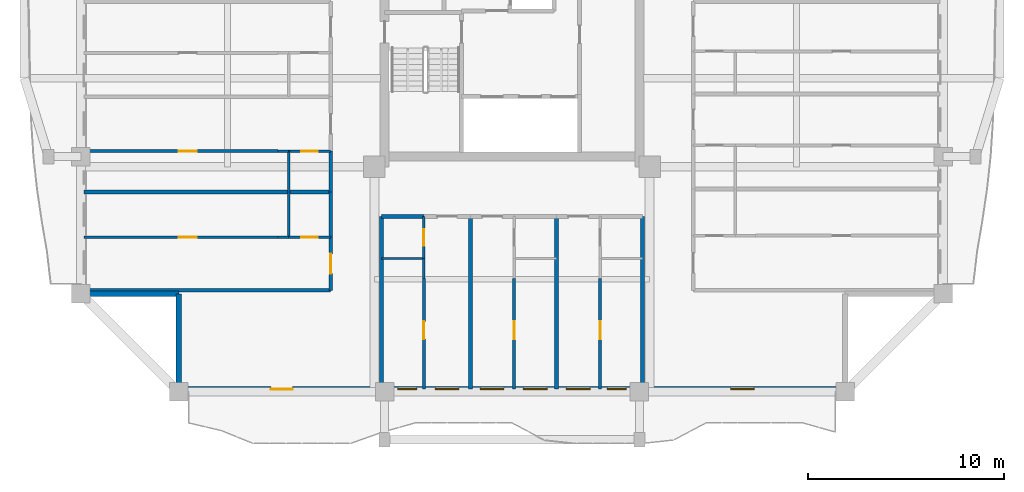
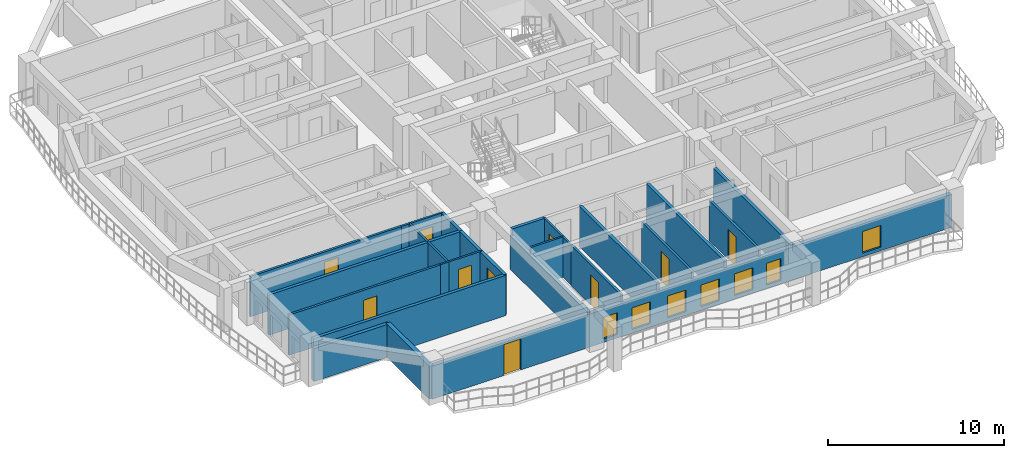
# One storey, part 2 of 15: 27 walls, 10 doors, 7 windows, 17 openings.
"""IFC4 building model written with IfcOpenShell, lengths in metres."""

from ifc_helpers import new_model, si_unit, direction, frame, frame_2d, origin, place, context, subcontext, project, spatial, rectangle, extrude, source, transform, mapped, material, layer, layer_set, type_object, element, fill, save


model = new_model("IFC4")

# Units and contexts
model_context = context("Model", 3, precision=1e-05, world=origin(), true_north=direction((0.0, 1.0)))
body_context = subcontext(model_context, "Body", "Model", "MODEL_VIEW")
ifc_project = project(units=[si_unit("LENGTHUNIT", "METRE"), si_unit("AREAUNIT", "SQUARE_METRE"), si_unit("VOLUMEUNIT", "CUBIC_METRE"), si_unit("PLANEANGLEUNIT", "RADIAN"), si_unit("MASSUNIT", "GRAM", prefix="KILO")], contexts=[model_context])

# Site, building, storey
site_placement = place(None, origin())
site = spatial("IfcSite", under=ifc_project, at=site_placement, CompositionType="ELEMENT")
building_placement = place(site_placement, origin())
building = spatial("IfcBuilding", under=site, at=building_placement, Name="Saelheon Loggia Tower", CompositionType="ELEMENT")
storey_placement = place(building_placement, frame((0.0, 0.0, 163.0)))
storey = spatial("IfcBuildingStorey", under=building, at=storey_placement, Name="L51", CompositionType="ELEMENT", Elevation=163.0)

# Wall, openings, windows, door
ifc_material_1 = material(Name="Architectural Precast Concrete C40/50", Category="concrete")
ifc_layer_1 = layer(ifc_material_1, 0.280029296875)
ifc_layer_set_1 = layer_set([ifc_layer_1], Name="Architectural Precast Concrete C40/50")
wall_type_1 = type_object("IfcWallType", Name="Wall_Ext_Loggia_280", PredefinedType="SOLIDWALL", material=ifc_layer_set_1)
wall_1_placement = place(storey_placement, frame((21.0, 6.139892578125, 0.0), z_axis=(0.0, 0.0, 1.0), x_axis=(1.0, 0.0, 0.0)))
wall_1 = element("IfcWall", 1, at=wall_1_placement, inside=storey, type_object=wall_type_1, Name="L51 South Loggia Inner Wall", PredefinedType="SOLIDWALL", context=body_context, shape_type="SweptSolid", body=[
    extrude(rectangle(XDim=34.0, YDim=0.280029296875, at=frame_2d((17.0, 0.0))), origin(), (0.0, 0.0, 1.0), 2.280029296875),
])
opening_1_placement = place(wall_1_placement, frame((5.800048828125, 0.0, 0.0), z_axis=(0.0, 0.0, 1.0), x_axis=(-1.0, 0.0, 0.0)))
opening_1 = element("IfcOpeningElement", 2, at=opening_1_placement, cuts=wall_1, Name="Opening TD1", PredefinedType="OPENING", context=body_context, shape_type="SweptSolid", body=[
    extrude(rectangle(XDim=1.10009765625, YDim=2.14990234375, at=frame_2d((0.550048828125, 1.074951171875))), frame((0.0, 0.152099609375, 0.0), z_axis=(0.0, -1.0, 0.0), x_axis=(1.0, 0.0, 0.0)), (0.0, 0.0, 1.0), 0.303955078125),
])
opening_2_placement = place(wall_1_placement, frame((11.1826171875, 0.0, 0.25)))
opening_2 = element("IfcOpeningElement", 3, at=opening_2_placement, cuts=wall_1, Name="Opening WN-04", PredefinedType="OPENING", context=body_context, shape_type="SweptSolid", body=[
    extrude(rectangle(XDim=0.949951171875, YDim=1.5, at=frame_2d((0.47509765625, 0.75))), frame((0.0, 0.152099609375, 0.0), z_axis=(0.0, -1.0, 0.0), x_axis=(1.0, 0.0, 0.0)), (0.0, 0.0, 1.0), 0.303955078125),
])
opening_3_placement = place(wall_1_placement, frame((13.0859375, 0.0, 0.25)))
opening_3 = element("IfcOpeningElement", 4, at=opening_3_placement, cuts=wall_1, Name="Opening WN-03", PredefinedType="OPENING", context=body_context, shape_type="SweptSolid", body=[
    extrude(rectangle(XDim=1.199951171875, YDim=1.5, at=frame_2d((0.60009765625, 0.75))), frame((0.0, 0.152099609375, 0.0), z_axis=(0.0, -1.0, 0.0), x_axis=(1.0, 0.0, 0.0)), (0.0, 0.0, 1.0), 0.303955078125),
])
opening_4_placement = place(wall_1_placement, frame((15.3916015625, 0.0, 0.25)))
opening_4 = element("IfcOpeningElement", 5, at=opening_4_placement, cuts=wall_1, Name="Opening WN-03", PredefinedType="OPENING", context=body_context, shape_type="SweptSolid", body=[
    extrude(rectangle(XDim=1.199951171875, YDim=1.5, at=frame_2d((0.60009765625, 0.75))), frame((0.0, 0.152099609375, 0.0), z_axis=(0.0, -1.0, 0.0), x_axis=(1.0, 0.0, 0.0)), (0.0, 0.0, 1.0), 0.303955078125),
])
opening_5_placement = place(wall_1_placement, frame((17.5859375, 0.0, 0.25)))
opening_5 = element("IfcOpeningElement", 6, at=opening_5_placement, cuts=wall_1, Name="Opening WN-03", PredefinedType="OPENING", context=body_context, shape_type="SweptSolid", body=[
    extrude(rectangle(XDim=1.199951171875, YDim=1.5, at=frame_2d((0.60009765625, 0.75))), frame((0.0, 0.152099609375, 0.0), z_axis=(0.0, -1.0, 0.0), x_axis=(1.0, 0.0, 0.0)), (0.0, 0.0, 1.0), 0.303955078125),
])
opening_6_placement = place(wall_1_placement, frame((19.780517578125, 0.0, 0.25)))
opening_6 = element("IfcOpeningElement", 7, at=opening_6_placement, cuts=wall_1, Name="Opening WN-03", PredefinedType="OPENING", context=body_context, shape_type="SweptSolid", body=[
    extrude(rectangle(XDim=1.199951171875, YDim=1.5, at=frame_2d((0.60009765625, 0.75))), frame((0.0, 0.152099609375, 0.0), z_axis=(0.0, -1.0, 0.0), x_axis=(1.0, 0.0, 0.0)), (0.0, 0.0, 1.0), 0.303955078125),
])
opening_7_placement = place(wall_1_placement, frame((21.867431640625, 0.0, 0.25)))
opening_7 = element("IfcOpeningElement", 8, at=opening_7_placement, cuts=wall_1, Name="Opening WN-04", PredefinedType="OPENING", context=body_context, shape_type="SweptSolid", body=[
    extrude(rectangle(XDim=0.949951171875, YDim=1.5, at=frame_2d((0.47509765625, 0.75))), frame((0.0, 0.152099609375, 0.0), z_axis=(0.0, -1.0, 0.0), x_axis=(1.0, 0.0, 0.0)), (0.0, 0.0, 1.0), 0.303955078125),
])
opening_8_placement = place(wall_1_placement, frame((28.14990234375, 0.0, 0.25)))
opening_8 = element("IfcOpeningElement", 9, at=opening_8_placement, cuts=wall_1, Name="Opening WN-03", PredefinedType="OPENING", context=body_context, shape_type="SweptSolid", body=[
    extrude(rectangle(XDim=1.199951171875, YDim=1.5, at=frame_2d((0.60009765625, 0.75))), frame((0.0, 0.152099609375, 0.0), z_axis=(0.0, -1.0, 0.0), x_axis=(1.0, 0.0, 0.0)), (0.0, 0.0, 1.0), 0.303955078125),
])
ifc_material_2 = material(Name="Thermal-Break Aluminium and Triple Low-E Glass", Category="aluminium")
window_type_1 = type_object("IfcWindowType", Name="Win_Bedroom_1200x1500", PartitioningType="SINGLE_PANEL", PredefinedType="WINDOW", material=ifc_material_2)
shared_shape_1 = source(origin(), body_context, "Body", "SweptSolid", [
    extrude(rectangle(XDim=1.199951171875, YDim=1.5, at=frame_2d((0.60009765625, 0.75))), frame((0.0, 0.030029296875, 0.0), z_axis=(0.0, -1.0, 0.0), x_axis=(1.0, 0.0, 0.0)), (0.0, 0.0, 1.0), 0.06005859375),
])
window_1_placement = place(opening_3_placement, origin())
window_1 = element("IfcWindow", 10, at=window_1_placement, inside=storey, type_object=window_type_1, Name="L51 S Dwelling Window 3", OverallHeight=1.5, OverallWidth=1.199951171875, PartitioningType="SINGLE_PANEL", PredefinedType="WINDOW", context=body_context, shape_type="MappedRepresentation", body=[
    mapped(shared_shape_1, transform((0.0, 0.0, 0.0), scale=1.0)),
])
fill(opening_3, window_1)
window_2_placement = place(opening_4_placement, origin())
window_2 = element("IfcWindow", 11, at=window_2_placement, inside=storey, type_object=window_type_1, Name="L51 S Dwelling Window 4", OverallHeight=1.5, OverallWidth=1.199951171875, PartitioningType="SINGLE_PANEL", PredefinedType="WINDOW", context=body_context, shape_type="MappedRepresentation", body=[
    mapped(shared_shape_1, transform((0.0, 0.0, 0.0), scale=1.0)),
])
fill(opening_4, window_2)
window_3_placement = place(opening_5_placement, origin())
window_3 = element("IfcWindow", 12, at=window_3_placement, inside=storey, type_object=window_type_1, Name="L51 S Dwelling Window 5", OverallHeight=1.5, OverallWidth=1.199951171875, PartitioningType="SINGLE_PANEL", PredefinedType="WINDOW", context=body_context, shape_type="MappedRepresentation", body=[
    mapped(shared_shape_1, transform((0.0, 0.0, 0.0), scale=1.0)),
])
fill(opening_5, window_3)
window_4_placement = place(opening_6_placement, origin())
window_4 = element("IfcWindow", 13, at=window_4_placement, inside=storey, type_object=window_type_1, Name="L51 S Dwelling Window 6", OverallHeight=1.5, OverallWidth=1.199951171875, PartitioningType="SINGLE_PANEL", PredefinedType="WINDOW", context=body_context, shape_type="MappedRepresentation", body=[
    mapped(shared_shape_1, transform((0.0, 0.0, 0.0), scale=1.0)),
])
fill(opening_6, window_4)
window_5_placement = place(opening_8_placement, origin())
window_5 = element("IfcWindow", 14, at=window_5_placement, inside=storey, type_object=window_type_1, Name="L51 S Dwelling Window 8", OverallHeight=1.5, OverallWidth=1.199951171875, PartitioningType="SINGLE_PANEL", PredefinedType="WINDOW", context=body_context, shape_type="MappedRepresentation", body=[
    mapped(shared_shape_1, transform((0.0, 0.0, 0.0), scale=1.0)),
])
fill(opening_8, window_5)
ifc_material_3 = material(Name="Thermal-Break Aluminium Glazed Door", Category="aluminium")
door_type_1 = type_object("IfcDoorType", Name="Door_Terrace_TD1", OperationType="NOTDEFINED", PredefinedType="DOOR", material=ifc_material_3)
shared_shape_2 = source(origin(), body_context, "Body", "SweptSolid", [
    extrude(rectangle(XDim=1.10009765625, YDim=2.14990234375, at=frame_2d((0.550048828125, 1.074951171875))), frame((0.0, 0.02490234375, 0.0), z_axis=(0.0, -1.0, 0.0), x_axis=(1.0, 0.0, 0.0)), (0.0, 0.0, 1.0), 0.050048828125),
])
door_1_placement = place(opening_1_placement, origin())
door_1 = element("IfcDoor", 15, at=door_1_placement, inside=storey, type_object=door_type_1, Name="L51 S Loggia Access Door", OperationType="SINGLE_SWING_LEFT", OverallHeight=2.14990234375, OverallWidth=1.10009765625, PredefinedType="DOOR", context=body_context, shape_type="MappedRepresentation", body=[
    mapped(shared_shape_2, transform((0.0, 0.0, 0.0), scale=1.0)),
])
fill(opening_1, door_1)
window_type_2 = type_object("IfcWindowType", Name="Win_Narrow_950x1500", PartitioningType="SINGLE_PANEL", PredefinedType="WINDOW", material=ifc_material_2)
shared_shape_3 = source(origin(), body_context, "Body", "SweptSolid", [
    extrude(rectangle(XDim=0.949951171875, YDim=1.5, at=frame_2d((0.47509765625, 0.75))), frame((0.0, 0.030029296875, 0.0), z_axis=(0.0, -1.0, 0.0), x_axis=(1.0, 0.0, 0.0)), (0.0, 0.0, 1.0), 0.06005859375),
])
window_6_placement = place(opening_2_placement, origin())
window_6 = element("IfcWindow", 16, at=window_6_placement, inside=storey, type_object=window_type_2, Name="L51 S Dwelling Window 2", OverallHeight=1.5, OverallWidth=0.949951171875, PartitioningType="SINGLE_PANEL", PredefinedType="WINDOW", context=body_context, shape_type="MappedRepresentation", body=[
    mapped(shared_shape_3, transform((0.0, 0.0, 0.0), scale=1.0)),
])
fill(opening_2, window_6)
window_7_placement = place(opening_7_placement, origin())
window_7 = element("IfcWindow", 17, at=window_7_placement, inside=storey, type_object=window_type_2, Name="L51 S Dwelling Window 7", OverallHeight=1.5, OverallWidth=0.949951171875, PartitioningType="SINGLE_PANEL", PredefinedType="WINDOW", context=body_context, shape_type="MappedRepresentation", body=[
    mapped(shared_shape_3, transform((0.0, 0.0, 0.0), scale=1.0)),
])
fill(opening_7, window_7)

# Walls
for number, where, z_axis, x_axis, name in (
    (18, (21.0, 6.080078125, 0.0), (0.0, 0.0, 1.0), (0.0, 1.0, 0.0), "L51 Corner Notch Precast Wall SW1"),
    (19, (16.080078125, 11.0, 0.0), (0.0, 0.0, 1.0), (1.0, 0.0, 0.0), "L51 Corner Notch Precast Wall SW2"),
):
    element("IfcWall", number, at=place(storey_placement, frame(where, z_axis=z_axis, x_axis=x_axis)), inside=storey, type_object=wall_type_1, Name=name, PredefinedType="SOLIDWALL", context=body_context, shape_type="SweptSolid", body=[
        extrude(rectangle(XDim=4.919921875, YDim=0.280029296875, at=frame_2d((2.4599609375, 0.0))), origin(), (0.0, 0.0, 1.0), 2.280029296875),
    ])

# Wall, opening, door
ifc_material_4 = material(Name="Lightweight Autoclaved Aerated Concrete Block and Acoustic Gypsum", Category="concrete")
ifc_layer_2 = layer(ifc_material_4, 0.14990234375)
ifc_layer_set_2 = layer_set([ifc_layer_2], Name="Lightweight Autoclaved Aerated Concrete Block and Acoustic Gypsum")
wall_type_2 = type_object("IfcWallType", Name="Wall_Part_150", PredefinedType="PARTITIONING", material=ifc_layer_set_2)
wall_2_placement = place(storey_placement, frame((33.5, 11.77001953125, 0.0), z_axis=(0.0, 0.0, 1.0), x_axis=(0.0, -1.0, 0.0)))
wall_2 = element("IfcWall", 20, at=wall_2_placement, inside=storey, type_object=wall_type_2, Name="L51 S Partition U08", PredefinedType="PARTITIONING", context=body_context, shape_type="SweptSolid", body=[
    extrude(rectangle(XDim=5.6201171875, YDim=0.14990234375, at=frame_2d((2.81005859375, 0.0))), origin(), (0.0, 0.0, 1.0), 2.7900390625),
])
opening_9_placement = place(wall_2_placement, frame((2.183349609375, 0.0, 0.0)))
opening_9 = element("IfcOpeningElement", 21, at=opening_9_placement, cuts=wall_2, Name="Opening D-IN2", PredefinedType="OPENING", context=body_context, shape_type="SweptSolid", body=[
    extrude(rectangle(XDim=0.89990234375, YDim=2.10009765625, at=frame_2d((0.449951171875, 1.050048828125))), frame((0.0, 0.0869140625, 0.0), z_axis=(0.0, -1.0, 0.0), x_axis=(1.0, 0.0, 0.0)), (0.0, 0.0, 1.0), 0.173828125),
])
ifc_material_5 = material(Name="Engineered Oak Flush Door", Category="timber")
door_type_2 = type_object("IfcDoorType", Name="Door_Int_900", OperationType="NOTDEFINED", PredefinedType="DOOR", material=ifc_material_5)
shared_shape_4 = source(origin(), body_context, "Body", "SweptSolid", [
    extrude(rectangle(XDim=0.89990234375, YDim=2.10009765625, at=frame_2d((0.449951171875, 1.050048828125))), frame((0.0, 0.02490234375, 0.0), z_axis=(0.0, -1.0, 0.0), x_axis=(1.0, 0.0, 0.0)), (0.0, 0.0, 1.0), 0.050048828125),
])
door_2_placement = place(opening_9_placement, origin())
door_2 = element("IfcDoor", 22, at=door_2_placement, inside=storey, type_object=door_type_2, Name="Unit U01 Kitchen Door", OperationType="SINGLE_SWING_RIGHT", OverallHeight=2.10009765625, OverallWidth=0.89990234375, PredefinedType="DOOR", context=body_context, shape_type="MappedRepresentation", body=[
    mapped(shared_shape_4, transform((0.0, 0.0, 0.0), scale=1.0)),
])
fill(opening_9, door_2)

wall_3_placement = place(storey_placement, frame((38.111083984375, 11.77001953125, 0.0), z_axis=(0.0, 0.0, 1.0), x_axis=(0.0, -1.0, 0.0)))
wall_3 = element("IfcWall", 23, at=wall_3_placement, inside=storey, type_object=wall_type_2, Name="L51 S Partition U15", PredefinedType="PARTITIONING", context=body_context, shape_type="SweptSolid", body=[
    extrude(rectangle(XDim=5.6201171875, YDim=0.14990234375, at=frame_2d((2.81005859375, 0.0))), origin(), (0.0, 0.0, 1.0), 2.7900390625),
])
opening_10_placement = place(wall_3_placement, frame((2.183349609375, 0.0, 0.0)))
opening_10 = element("IfcOpeningElement", 24, at=opening_10_placement, cuts=wall_3, Name="Opening D-IN2", PredefinedType="OPENING", context=body_context, shape_type="SweptSolid", body=[
    extrude(rectangle(XDim=0.89990234375, YDim=2.10009765625, at=frame_2d((0.449951171875, 1.050048828125))), frame((0.0, 0.0869140625, 0.0), z_axis=(0.0, -1.0, 0.0), x_axis=(1.0, 0.0, 0.0)), (0.0, 0.0, 1.0), 0.173828125),
])
door_3_placement = place(opening_10_placement, origin())
door_3 = element("IfcDoor", 25, at=door_3_placement, inside=storey, type_object=door_type_2, Name="Unit U02 Kitchen Door", OperationType="SINGLE_SWING_LEFT", OverallHeight=2.10009765625, OverallWidth=0.89990234375, PredefinedType="DOOR", context=body_context, shape_type="MappedRepresentation", body=[
    mapped(shared_shape_4, transform((0.0, 0.0, 0.0), scale=1.0)),
])
fill(opening_10, door_3)

wall_4_placement = place(storey_placement, frame((42.5, 11.77001953125, 0.0), z_axis=(0.0, 0.0, 1.0), x_axis=(0.0, -1.0, 0.0)))
wall_4 = element("IfcWall", 26, at=wall_4_placement, inside=storey, type_object=wall_type_2, Name="L51 S Partition U22", PredefinedType="PARTITIONING", context=body_context, shape_type="SweptSolid", body=[
    extrude(rectangle(XDim=5.6201171875, YDim=0.14990234375, at=frame_2d((2.81005859375, 0.0))), origin(), (0.0, 0.0, 1.0), 2.7900390625),
])
opening_11_placement = place(wall_4_placement, frame((2.183349609375, 0.0, 0.0)))
opening_11 = element("IfcOpeningElement", 27, at=opening_11_placement, cuts=wall_4, Name="Opening D-IN2", PredefinedType="OPENING", context=body_context, shape_type="SweptSolid", body=[
    extrude(rectangle(XDim=0.89990234375, YDim=2.10009765625, at=frame_2d((0.449951171875, 1.050048828125))), frame((0.0, 0.0869140625, 0.0), z_axis=(0.0, -1.0, 0.0), x_axis=(1.0, 0.0, 0.0)), (0.0, 0.0, 1.0), 0.173828125),
])
door_4_placement = place(opening_11_placement, origin())
door_4 = element("IfcDoor", 28, at=door_4_placement, inside=storey, type_object=door_type_2, Name="Unit U03 Kitchen Door", OperationType="SINGLE_SWING_RIGHT", OverallHeight=2.10009765625, OverallWidth=0.89990234375, PredefinedType="DOOR", context=body_context, shape_type="MappedRepresentation", body=[
    mapped(shared_shape_4, transform((0.0, 0.0, 0.0), scale=1.0)),
])
fill(opening_11, door_4)

wall_5_placement = place(storey_placement, frame((26.050048828125, 13.88623046875, 0.0), z_axis=(0.0, 0.0, 1.0), x_axis=(-1.0, 0.0, 0.0)))
wall_5 = element("IfcWall", 29, at=wall_5_placement, inside=storey, type_object=wall_type_2, Name="L51 WS Partition U08", PredefinedType="PARTITIONING", context=body_context, shape_type="SweptSolid", body=[
    extrude(rectangle(XDim=9.900146484375, YDim=0.14990234375, at=frame_2d((4.9501953125, 0.0))), origin(), (0.0, 0.0, 1.0), 2.7900390625),
])
opening_12_placement = place(wall_5_placement, frame((4.14501953125, 0.0, 0.0)))
opening_12 = element("IfcOpeningElement", 30, at=opening_12_placement, cuts=wall_5, Name="Opening D-IN2", PredefinedType="OPENING", context=body_context, shape_type="SweptSolid", body=[
    extrude(rectangle(XDim=0.89990234375, YDim=2.10009765625, at=frame_2d((0.449951171875, 1.050048828125))), frame((0.0, 0.0869140625, 0.0), z_axis=(0.0, -1.0, 0.0), x_axis=(1.0, 0.0, 0.0)), (0.0, 0.0, 1.0), 0.173828125),
])
door_5_placement = place(opening_12_placement, origin())
door_5 = element("IfcDoor", 31, at=door_5_placement, inside=storey, type_object=door_type_2, Name="Unit U07 Kitchen Door", OperationType="SINGLE_SWING_LEFT", OverallHeight=2.10009765625, OverallWidth=0.89990234375, PredefinedType="DOOR", context=body_context, shape_type="MappedRepresentation", body=[
    mapped(shared_shape_4, transform((0.0, 0.0, 0.0), scale=1.0)),
])
fill(opening_12, door_5)

wall_6_placement = place(storey_placement, frame((26.050048828125, 18.280029296875, 0.0), z_axis=(0.0, 0.0, 1.0), x_axis=(-1.0, 0.0, 0.0)))
wall_6 = element("IfcWall", 32, at=wall_6_placement, inside=storey, type_object=wall_type_2, Name="L51 WS Partition U15", PredefinedType="PARTITIONING", context=body_context, shape_type="SweptSolid", body=[
    extrude(rectangle(XDim=9.900146484375, YDim=0.14990234375, at=frame_2d((4.9501953125, 0.0))), origin(), (0.0, 0.0, 1.0), 2.7900390625),
])
opening_13_placement = place(wall_6_placement, frame((4.14501953125, 0.0, 0.0)))
opening_13 = element("IfcOpeningElement", 33, at=opening_13_placement, cuts=wall_6, Name="Opening D-IN2", PredefinedType="OPENING", context=body_context, shape_type="SweptSolid", body=[
    extrude(rectangle(XDim=0.89990234375, YDim=2.10009765625, at=frame_2d((0.449951171875, 1.050048828125))), frame((0.0, 0.0869140625, 0.0), z_axis=(0.0, -1.0, 0.0), x_axis=(1.0, 0.0, 0.0)), (0.0, 0.0, 1.0), 0.173828125),
])
door_6_placement = place(opening_13_placement, origin())
door_6 = element("IfcDoor", 34, at=door_6_placement, inside=storey, type_object=door_type_2, Name="Unit U08 Kitchen Door", OperationType="SINGLE_SWING_RIGHT", OverallHeight=2.10009765625, OverallWidth=0.89990234375, PredefinedType="DOOR", context=body_context, shape_type="MappedRepresentation", body=[
    mapped(shared_shape_4, transform((0.0, 0.0, 0.0), scale=1.0)),
])
fill(opening_13, door_6)

# Walls
ifc_material_6 = material(Name="Double Acoustic Stud and Fireboard Partition", Category="gypsum")
ifc_layer_3 = layer(ifc_material_6, 0.199951171875)
ifc_layer_set_3 = layer_set([ifc_layer_3], Name="Double Acoustic Stud and Fireboard Partition")
wall_type_3 = type_object("IfcWallType", Name="Wall_Party_200", PredefinedType="PARTITIONING", material=ifc_layer_set_3)
for number, where, z_axis, x_axis, name in (
    (35, (31.35009765625, 14.949951171875, 0.0), (0.0, 0.0, 1.0), (0.0, -1.0, 0.0), "L51 S Partition U01"),
    (36, (44.64990234375, 14.949951171875, 0.0), (0.0, 0.0, 1.0), (0.0, -1.0, 0.0), "L51 S Partition U02"),
):
    element("IfcWall", number, at=place(storey_placement, frame(where, z_axis=z_axis, x_axis=x_axis)), inside=storey, type_object=wall_type_3, Name=name, PredefinedType="PARTITIONING", context=body_context, shape_type="SweptSolid", body=[
        extrude(rectangle(XDim=8.800048828125, YDim=0.199951171875, at=frame_2d((4.39990234375, 0.0))), origin(), (0.0, 0.0, 1.0), 2.340087890625),
    ])
wall_7_placement = place(storey_placement, frame((31.35009765625, 14.949951171875, 0.0), z_axis=(0.0, 0.0, 1.0), x_axis=(1.0, 0.0, 0.0)))
element("IfcWall", 37, at=wall_7_placement, inside=storey, type_object=wall_type_3, Name="L51 S Partition V03", PredefinedType="PARTITIONING", context=body_context, shape_type="SweptSolid", body=[
    extrude(rectangle(XDim=2.14990234375, YDim=0.199951171875, at=frame_2d((1.074951171875, 0.0))), origin(), (0.0, 0.0, 1.0), 2.7900390625),
])
for number, where, z_axis, x_axis, name in (
    (38, (35.8720703125, 14.949951171875, 0.0), (0.0, 0.0, 1.0), (0.0, -1.0, 0.0), "L51 S Partition U09"),
    (39, (40.260986328125, 14.949951171875, 0.0), (0.0, 0.0, 1.0), (0.0, -1.0, 0.0), "L51 S Partition U16"),
):
    element("IfcWall", number, at=place(storey_placement, frame(where, z_axis=z_axis, x_axis=x_axis)), inside=storey, type_object=wall_type_3, Name=name, PredefinedType="PARTITIONING", context=body_context, shape_type="SweptSolid", body=[
        extrude(rectangle(XDim=8.800048828125, YDim=0.199951171875, at=frame_2d((4.39990234375, 0.0))), origin(), (0.0, 0.0, 1.0), 2.7900390625),
    ])
wall_8_placement = place(storey_placement, frame((28.75, 11.179931640625, 0.0), z_axis=(0.0, 0.0, 1.0), x_axis=(-1.0, 0.0, 0.0)))
element("IfcWall", 40, at=wall_8_placement, inside=storey, type_object=wall_type_3, Name="L51 WS Partition U01", PredefinedType="PARTITIONING", context=body_context, shape_type="SweptSolid", body=[
    extrude(rectangle(XDim=12.60009765625, YDim=0.199951171875, at=frame_2d((6.300048828125, 0.0))), origin(), (0.0, 0.0, 1.0), 2.7900390625),
])

# Wall, opening, door
wall_9_placement = place(storey_placement, frame((28.75, 11.179931640625, 0.0), z_axis=(0.0, 0.0, 1.0), x_axis=(0.0, 1.0, 0.0)))
wall_9 = element("IfcWall", 41, at=wall_9_placement, inside=storey, type_object=wall_type_3, Name="L51 WS Partition V03", PredefinedType="PARTITIONING", context=body_context, shape_type="SweptSolid", body=[
    extrude(rectangle(XDim=2.706298828125, YDim=0.199951171875, at=frame_2d((1.35302734375, 0.0))), origin(), (0.0, 0.0, 1.0), 2.7900390625),
])
opening_14_placement = place(wall_9_placement, frame((0.853271484375, 0.0, 0.0)))
opening_14 = element("IfcOpeningElement", 42, at=opening_14_placement, cuts=wall_9, Name="Opening D-FD1", PredefinedType="OPENING", context=body_context, shape_type="SweptSolid", body=[
    extrude(rectangle(XDim=1.0, YDim=2.14990234375, at=frame_2d((0.5, 1.074951171875))), frame((0.0, 0.112060546875, 0.0), z_axis=(0.0, -1.0, 0.0), x_axis=(1.0, 0.0, 0.0)), (0.0, 0.0, 1.0), 0.223876953125),
])
ifc_material_7 = material(Name="Fire-Rated Engineered Timber Entrance Door", Category="wood")
door_type_3 = type_object("IfcDoorType", Name="Door_Flat_FD30S", OperationType="NOTDEFINED", PredefinedType="DOOR", material=ifc_material_7)
shared_shape_5 = source(origin(), body_context, "Body", "SweptSolid", [
    extrude(rectangle(XDim=1.0, YDim=2.14990234375, at=frame_2d((0.5, 1.074951171875))), frame((0.0, 0.02490234375, 0.0), z_axis=(0.0, -1.0, 0.0), x_axis=(1.0, 0.0, 0.0)), (0.0, 0.0, 1.0), 0.050048828125),
])
door_7_placement = place(opening_14_placement, origin())
door_7 = element("IfcDoor", 43, at=door_7_placement, inside=storey, type_object=door_type_3, Name="Unit U07 Entrance Door", OperationType="SINGLE_SWING_LEFT", OverallHeight=2.14990234375, OverallWidth=1.0, PredefinedType="DOOR", context=body_context, shape_type="MappedRepresentation", body=[
    mapped(shared_shape_5, transform((0.0, 0.0, 0.0), scale=1.0)),
])
fill(opening_14, door_7)

# Walls
wall_10_placement = place(storey_placement, frame((28.75, 13.88623046875, 0.0), z_axis=(0.0, 0.0, 1.0), x_axis=(0.0, 1.0, 0.0)))
element("IfcWall", 44, at=wall_10_placement, inside=storey, type_object=wall_type_3, Name="L51 WS Partition V04", PredefinedType="PARTITIONING", context=body_context, shape_type="SweptSolid", body=[
    extrude(rectangle(XDim=2.305419921875, YDim=0.199951171875, at=frame_2d((1.15283203125, 0.0))), origin(), (0.0, 0.0, 1.0), 2.7900390625),
])
wall_11_placement = place(storey_placement, frame((28.75, 16.191650390625, 0.0), z_axis=(0.0, 0.0, 1.0), x_axis=(-1.0, 0.0, 0.0)))
element("IfcWall", 45, at=wall_11_placement, inside=storey, type_object=wall_type_3, Name="L51 WS Partition U09", PredefinedType="PARTITIONING", context=body_context, shape_type="SweptSolid", body=[
    extrude(rectangle(XDim=12.60009765625, YDim=0.199951171875, at=frame_2d((6.300048828125, 0.0))), origin(), (0.0, 0.0, 1.0), 2.7900390625),
])
wall_12_placement = place(storey_placement, frame((28.75, 16.191650390625, 0.0), z_axis=(0.0, 0.0, 1.0), x_axis=(0.0, 1.0, 0.0)))
element("IfcWall", 46, at=wall_12_placement, inside=storey, type_object=wall_type_3, Name="L51 WS Partition V10", PredefinedType="PARTITIONING", context=body_context, shape_type="SweptSolid", body=[
    extrude(rectangle(XDim=2.08837890625, YDim=0.199951171875, at=frame_2d((1.044189453125, 0.0))), origin(), (0.0, 0.0, 1.0), 2.7900390625),
])

# Wall, opening, door
ifc_material_8 = material(Name="Moisture-Resistant Cement Board Partition", Category="gypsum")
ifc_layer_4 = layer(ifc_material_8, 0.1201171875)
ifc_layer_set_4 = layer_set([ifc_layer_4], Name="Moisture-Resistant Cement Board Partition")
wall_type_4 = type_object("IfcWallType", Name="Wall_WetPart_120", PredefinedType="PARTITIONING", material=ifc_layer_set_4)
wall_13_placement = place(storey_placement, frame((33.5, 14.949951171875, 0.0), z_axis=(0.0, 0.0, 1.0), x_axis=(0.0, -1.0, 0.0)))
wall_13 = element("IfcWall", 47, at=wall_13_placement, inside=storey, type_object=wall_type_4, Name="L51 S Partition U05", PredefinedType="PARTITIONING", context=body_context, shape_type="SweptSolid", body=[
    extrude(rectangle(XDim=2.14990234375, YDim=0.1201171875, at=frame_2d((1.074951171875, 0.0))), origin(), (0.0, 0.0, 1.0), 2.7900390625),
])
opening_15_placement = place(wall_13_placement, frame((0.64990234375, 0.0, 0.0)))
opening_15 = element("IfcOpeningElement", 48, at=opening_15_placement, cuts=wall_13, Name="Opening D-BT1", PredefinedType="OPENING", context=body_context, shape_type="SweptSolid", body=[
    extrude(rectangle(XDim=0.85009765625, YDim=2.050048828125, at=frame_2d((0.425048828125, 1.02490234375))), frame((0.0, 0.072021484375, 0.0), z_axis=(0.0, -1.0, 0.0), x_axis=(1.0, 0.0, 0.0)), (0.0, 0.0, 1.0), 0.14404296875),
])
ifc_material_9 = material(Name="Moisture-Resistant Laminate Timber Door", Category="wood")
door_type_4 = type_object("IfcDoorType", Name="Door_Bath_850", OperationType="NOTDEFINED", PredefinedType="DOOR", material=ifc_material_9)
shared_shape_6 = source(origin(), body_context, "Body", "SweptSolid", [
    extrude(rectangle(XDim=0.85009765625, YDim=2.050048828125, at=frame_2d((0.425048828125, 1.02490234375))), frame((0.0, 0.02490234375, 0.0), z_axis=(0.0, -1.0, 0.0), x_axis=(1.0, 0.0, 0.0)), (0.0, 0.0, 1.0), 0.050048828125),
])
door_8_placement = place(opening_15_placement, origin())
door_8 = element("IfcDoor", 49, at=door_8_placement, inside=storey, type_object=door_type_4, Name="Unit U01 Bathroom Door", OperationType="SINGLE_SWING_LEFT", OverallHeight=2.050048828125, OverallWidth=0.85009765625, PredefinedType="DOOR", context=body_context, shape_type="MappedRepresentation", body=[
    mapped(shared_shape_6, transform((0.0, 0.0, 0.0), scale=1.0)),
])
fill(opening_15, door_8)

# Walls
wall_14_placement = place(storey_placement, frame((33.5, 12.800048828125, 0.0), z_axis=(0.0, 0.0, 1.0), x_axis=(0.0, -1.0, 0.0)))
element("IfcWall", 50, at=wall_14_placement, inside=storey, type_object=wall_type_4, Name="L51 S Partition U06", PredefinedType="PARTITIONING", context=body_context, shape_type="SweptSolid", body=[
    extrude(rectangle(XDim=1.030029296875, YDim=0.1201171875, at=frame_2d((0.51513671875, 0.0))), origin(), (0.0, 0.0, 1.0), 2.7900390625),
])
wall_15_placement = place(storey_placement, frame((31.35009765625, 12.800048828125, 0.0), z_axis=(0.0, 0.0, 1.0), x_axis=(1.0, 0.0, 0.0)))
element("IfcWall", 51, at=wall_15_placement, inside=storey, type_object=wall_type_4, Name="L51 S Partition V07", PredefinedType="PARTITIONING", context=body_context, shape_type="SweptSolid", body=[
    extrude(rectangle(XDim=2.14990234375, YDim=0.1201171875, at=frame_2d((1.074951171875, 0.0))), origin(), (0.0, 0.0, 1.0), 2.7900390625),
])

# Wall, opening, door
wall_16_placement = place(storey_placement, frame((28.75, 13.88623046875, 0.0), z_axis=(0.0, 0.0, 1.0), x_axis=(-1.0, 0.0, 0.0)))
wall_16 = element("IfcWall", 52, at=wall_16_placement, inside=storey, type_object=wall_type_4, Name="L51 WS Partition U05", PredefinedType="PARTITIONING", context=body_context, shape_type="SweptSolid", body=[
    extrude(rectangle(XDim=2.14990234375, YDim=0.1201171875, at=frame_2d((1.074951171875, 0.0))), origin(), (0.0, 0.0, 1.0), 2.7900390625),
])
opening_16_placement = place(wall_16_placement, frame((0.64990234375, 0.0, 0.0)))
opening_16 = element("IfcOpeningElement", 53, at=opening_16_placement, cuts=wall_16, Name="Opening D-BT1", PredefinedType="OPENING", context=body_context, shape_type="SweptSolid", body=[
    extrude(rectangle(XDim=0.85009765625, YDim=2.050048828125, at=frame_2d((0.425048828125, 1.02490234375))), frame((0.0, 0.072021484375, 0.0), z_axis=(0.0, -1.0, 0.0), x_axis=(1.0, 0.0, 0.0)), (0.0, 0.0, 1.0), 0.14404296875),
])
door_9_placement = place(opening_16_placement, origin())
door_9 = element("IfcDoor", 54, at=door_9_placement, inside=storey, type_object=door_type_4, Name="Unit U07 Bathroom Door", OperationType="SINGLE_SWING_RIGHT", OverallHeight=2.050048828125, OverallWidth=0.85009765625, PredefinedType="DOOR", context=body_context, shape_type="MappedRepresentation", body=[
    mapped(shared_shape_6, transform((0.0, 0.0, 0.0), scale=1.0)),
])
fill(opening_16, door_9)

# Walls
wall_17_placement = place(storey_placement, frame((26.60009765625, 13.88623046875, 0.0), z_axis=(0.0, 0.0, 1.0), x_axis=(-1.0, 0.0, 0.0)))
element("IfcWall", 55, at=wall_17_placement, inside=storey, type_object=wall_type_4, Name="L51 WS Partition U06", PredefinedType="PARTITIONING", context=body_context, shape_type="SweptSolid", body=[
    extrude(rectangle(XDim=0.550048828125, YDim=0.1201171875, at=frame_2d((0.27490234375, 0.0))), origin(), (0.0, 0.0, 1.0), 2.7900390625),
])
wall_18_placement = place(storey_placement, frame((26.60009765625, 13.88623046875, 0.0), z_axis=(0.0, 0.0, 1.0), x_axis=(0.0, 1.0, 0.0)))
element("IfcWall", 56, at=wall_18_placement, inside=storey, type_object=wall_type_4, Name="L51 WS Partition V07", PredefinedType="PARTITIONING", context=body_context, shape_type="SweptSolid", body=[
    extrude(rectangle(XDim=2.305419921875, YDim=0.1201171875, at=frame_2d((1.15283203125, 0.0))), origin(), (0.0, 0.0, 1.0), 2.7900390625),
])

# Wall, opening, door
wall_19_placement = place(storey_placement, frame((28.75, 18.280029296875, 0.0), z_axis=(0.0, 0.0, 1.0), x_axis=(-1.0, 0.0, 0.0)))
wall_19 = element("IfcWall", 57, at=wall_19_placement, inside=storey, type_object=wall_type_4, Name="L51 WS Partition U12", PredefinedType="PARTITIONING", context=body_context, shape_type="SweptSolid", body=[
    extrude(rectangle(XDim=2.14990234375, YDim=0.1201171875, at=frame_2d((1.074951171875, 0.0))), origin(), (0.0, 0.0, 1.0), 2.7900390625),
])
opening_17_placement = place(wall_19_placement, frame((0.64990234375, 0.0, 0.0)))
opening_17 = element("IfcOpeningElement", 58, at=opening_17_placement, cuts=wall_19, Name="Opening D-BT1", PredefinedType="OPENING", context=body_context, shape_type="SweptSolid", body=[
    extrude(rectangle(XDim=0.85009765625, YDim=2.050048828125, at=frame_2d((0.425048828125, 1.02490234375))), frame((0.0, 0.072021484375, 0.0), z_axis=(0.0, -1.0, 0.0), x_axis=(1.0, 0.0, 0.0)), (0.0, 0.0, 1.0), 0.14404296875),
])
door_10_placement = place(opening_17_placement, origin())
door_10 = element("IfcDoor", 59, at=door_10_placement, inside=storey, type_object=door_type_4, Name="Unit U08 Bathroom Door", OperationType="SINGLE_SWING_LEFT", OverallHeight=2.050048828125, OverallWidth=0.85009765625, PredefinedType="DOOR", context=body_context, shape_type="MappedRepresentation", body=[
    mapped(shared_shape_6, transform((0.0, 0.0, 0.0), scale=1.0)),
])
fill(opening_17, door_10)

# Walls
wall_20_placement = place(storey_placement, frame((26.60009765625, 18.280029296875, 0.0), z_axis=(0.0, 0.0, 1.0), x_axis=(-1.0, 0.0, 0.0)))
element("IfcWall", 60, at=wall_20_placement, inside=storey, type_object=wall_type_4, Name="L51 WS Partition U13", PredefinedType="PARTITIONING", context=body_context, shape_type="SweptSolid", body=[
    extrude(rectangle(XDim=0.550048828125, YDim=0.1201171875, at=frame_2d((0.27490234375, 0.0))), origin(), (0.0, 0.0, 1.0), 2.7900390625),
])
wall_21_placement = place(storey_placement, frame((26.60009765625, 16.191650390625, 0.0), z_axis=(0.0, 0.0, 1.0), x_axis=(0.0, 1.0, 0.0)))
element("IfcWall", 61, at=wall_21_placement, inside=storey, type_object=wall_type_4, Name="L51 WS Partition V14", PredefinedType="PARTITIONING", context=body_context, shape_type="SweptSolid", body=[
    extrude(rectangle(XDim=2.08837890625, YDim=0.1201171875, at=frame_2d((1.044189453125, 0.0))), origin(), (0.0, 0.0, 1.0), 2.7900390625),
])

save(model, "model.ifc")
